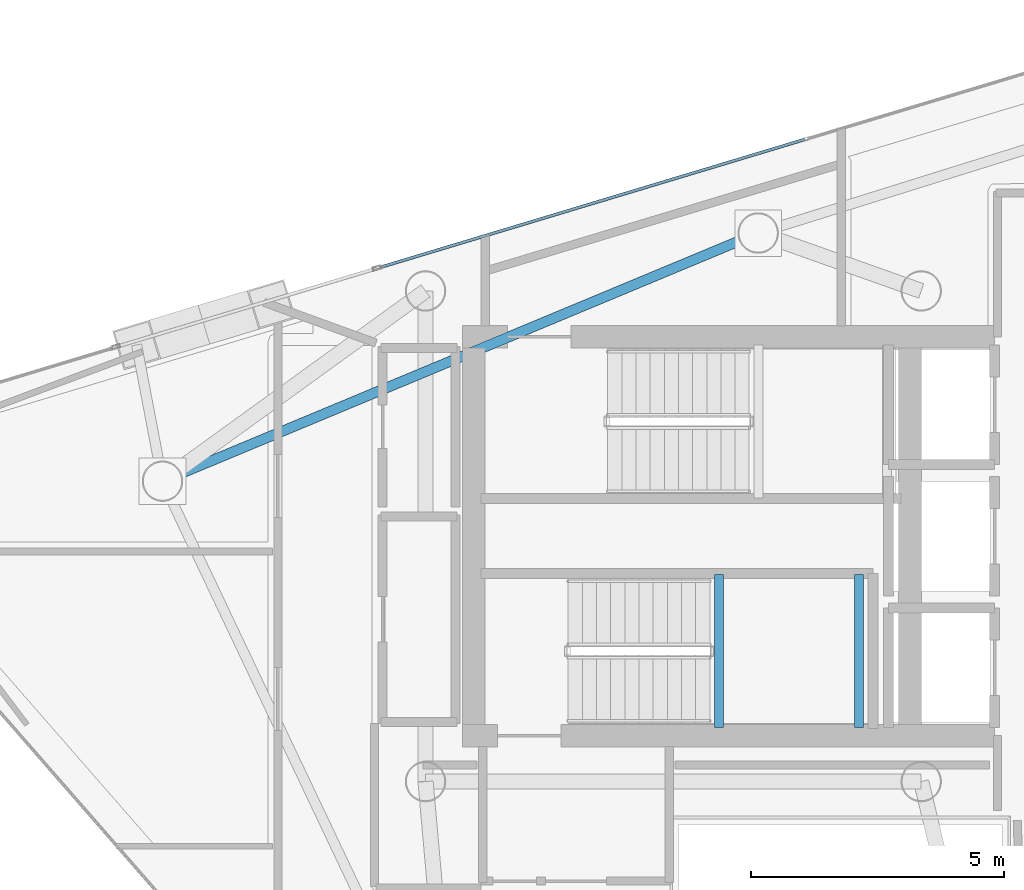
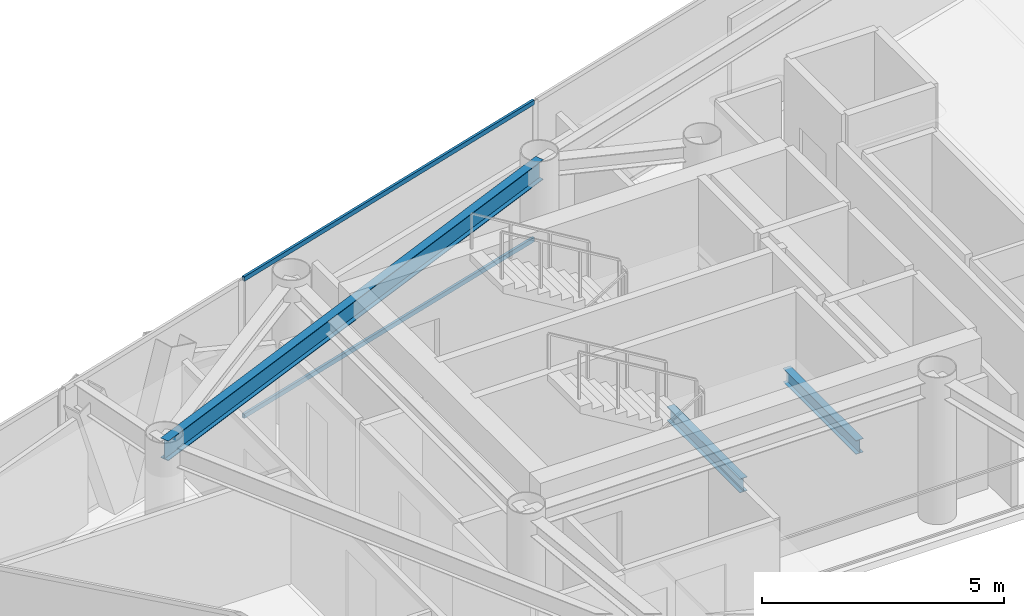
# One storey, part 9 of 19: 3 beams, 2 members, 1 element without a shape of its own.
"""IFC4 building model written with IfcOpenShell, lengths in metres."""

import ifcopenshell
import ifcopenshell.guid

model = None  # the IFC model being written
_history = None  # IfcOwnerHistory: only IFC2X3 demands one
_inside = {}  # id of a spatial element -> (the spatial element, [elements in it])
_under = {}  # id of a project, library or spatial element -> (it, [spatial elements below it])
_declared = {}  # id of a project -> (the project, [libraries it declares])
_typed = {}  # id of a type object -> (the type object, [elements of that type])
_made_of = {}  # id of a material, layer set ... -> (it, [elements and type objects made of it])


def new_model(schema):
    """Start an empty IFC model of exactly this schema.

    Asked for "IFC4X3", IfcOpenShell would pick the latest addendum, in which some entities
    have other attributes; the version numbers below select the first issue.
    IFC2X3 requires an IfcOwnerHistory on every rooted entity: one is made here for all.
    """
    global model, _history
    if schema == "IFC4X3":
        model = ifcopenshell.file(schema_version=(4, 3, 0, 0))
    else:
        model = ifcopenshell.file(schema=schema)
    _inside.clear()
    _under.clear()
    _declared.clear()
    _typed.clear()
    _made_of.clear()
    _history = None
    if model.schema == "IFC2X3":
        org = make("IfcOrganization", Name="unknown")
        user = make(
            "IfcPersonAndOrganization",
            ThePerson=make("IfcPerson", FamilyName="unknown"),
            TheOrganization=org,
        )
        app = make(
            "IfcApplication",
            ApplicationDeveloper=org,
            Version="unknown",
            ApplicationFullName="unknown",
            ApplicationIdentifier="unknown",
        )
        _history = make(
            "IfcOwnerHistory",
            OwningUser=user,
            OwningApplication=app,
            ChangeAction="ADDED",
            CreationDate=0,
        )
    return model


def make(cls, **values):
    """One entity of the class cls with the attributes given. An attribute that is None is left unset."""
    return model.create_entity(
        cls, **{name: value for name, value in values.items() if value is not None}
    )


def rooted(cls, **values):
    """An entity with a GlobalId (a new one), such as an element, a storey or a relation."""
    return make(cls, GlobalId=ifcopenshell.guid.new(), OwnerHistory=_history, **values)


def si_unit(unit_type, name, prefix=None):
    """IfcSIUnit, for example si_unit("LENGTHUNIT", "METRE", prefix="MILLI")."""
    return make("IfcSIUnit", UnitType=unit_type, Prefix=prefix, Name=name)


def assignment(units):
    """IfcUnitAssignment: the units of a project."""
    return None if units is None else make("IfcUnitAssignment", Units=units)


def point(xyz):
    """IfcCartesianPoint."""
    return None if xyz is None else make("IfcCartesianPoint", Coordinates=xyz)


def direction(xyz):
    """IfcDirection."""
    return None if xyz is None else make("IfcDirection", DirectionRatios=xyz)


def frame(location, z_axis=None, x_axis=None):
    """IfcAxis2Placement3D, a coordinate frame: its origin and axes. An axis left out is left unset."""
    return make(
        "IfcAxis2Placement3D",
        Location=point(location),
        Axis=direction(z_axis),
        RefDirection=direction(x_axis),
    )


def frame_2d(location, x_axis=None):
    """IfcAxis2Placement2D, a coordinate frame in the plane: its origin and x axis."""
    return make(
        "IfcAxis2Placement2D", Location=point(location), RefDirection=direction(x_axis)
    )


def origin():
    """The frame at (0, 0, 0) with its axes left unset."""
    return frame((0.0, 0.0, 0.0))


def origin_2d():
    """The frame at (0, 0) in the plane with its x axis left unset."""
    return frame_2d((0.0, 0.0))


def place(relative_to, where):
    """IfcLocalPlacement: puts the frame where relative to a parent placement (None: the world)."""
    return make(
        "IfcLocalPlacement", PlacementRelTo=relative_to, RelativePlacement=where
    )


def context(
    kind, dimensions, precision=None, world=None, true_north=None, identifier=None
):
    """IfcGeometricRepresentationContext, for example the 3D "Model" context."""
    return make(
        "IfcGeometricRepresentationContext",
        ContextIdentifier=identifier,
        ContextType=kind,
        CoordinateSpaceDimension=dimensions,
        Precision=precision,
        WorldCoordinateSystem=world,
        TrueNorth=true_north,
    )


def subcontext(parent, identifier, kind, view, scale=None):
    """IfcGeometricRepresentationSubContext, for example "Body" below "Model"."""
    return make(
        "IfcGeometricRepresentationSubContext",
        ContextIdentifier=identifier,
        ContextType=kind,
        ParentContext=parent,
        TargetScale=scale,
        TargetView=view,
    )


def project(units=None, contexts=None):
    """IfcProject with its units and contexts."""
    return rooted(
        "IfcProject",
        Name="project",
        RepresentationContexts=contexts,
        UnitsInContext=assignment(units),
    )


def spatial(cls, under=None, at=None, **own):
    """A site, building, storey or space (cls), placed at a placement, below another one or the project."""
    s = rooted(cls, ObjectPlacement=at, **own)
    if under is not None:
        _under.setdefault(under.id(), (under, []))[1].append(s)
    return s


def profile(cls, at=None, kind="AREA", **sizes):
    """A parametric profile (cls). Its sizes go by their IFC names, for example OverallWidth=200.0."""
    return make(cls, ProfileType=kind, Position=at, **sizes)


def hollow_rectangle(**sizes):
    """IfcRectangleHollowProfileDef."""
    return profile("IfcRectangleHollowProfileDef", **sizes)


def i_section(**sizes):
    """IfcIShapeProfileDef."""
    return profile("IfcIShapeProfileDef", **sizes)


def extrude(swept, where, along, depth):
    """IfcExtrudedAreaSolid: the profile swept, set in the frame where, extruded along a direction by depth."""
    return make(
        "IfcExtrudedAreaSolid",
        SweptArea=swept,
        Position=where,
        ExtrudedDirection=direction(along),
        Depth=depth,
    )


def shape(context_of_items, identifier, shape_type, items):
    """IfcShapeRepresentation: the items that make up one representation, for example the "Body"."""
    return make(
        "IfcShapeRepresentation",
        ContextOfItems=context_of_items,
        RepresentationIdentifier=identifier,
        RepresentationType=shape_type,
        Items=items,
    )


def material(Name=None, Category=None):
    """IfcMaterial."""
    return make("IfcMaterial", Name=Name, Category=Category)


def layer(
    of_material, thickness, ventilated=None, Name=None, Category=None, Priority=None
):
    """IfcMaterialLayer: one layer of a wall or slab, of a material (None: an air gap)."""
    return make(
        "IfcMaterialLayer",
        Material=of_material,
        LayerThickness=thickness,
        IsVentilated=ventilated,
        Name=Name,
        Category=Category,
        Priority=Priority,
    )


def layer_set(layers, Name=None):
    """IfcMaterialLayerSet."""
    return make("IfcMaterialLayerSet", MaterialLayers=layers, LayerSetName=Name)


def material_profile(
    of_material, cross_section, Name=None, Category=None, Priority=None
):
    """IfcMaterialProfile: a cross section and its material."""
    return make(
        "IfcMaterialProfile",
        Name=Name,
        Material=of_material,
        Profile=cross_section,
        Priority=Priority,
        Category=Category,
    )


def profile_set(profiles, Name=None, composite=None):
    """IfcMaterialProfileSet."""
    return make(
        "IfcMaterialProfileSet",
        Name=Name,
        MaterialProfiles=profiles,
        CompositeProfile=composite,
    )


def made_of(thing, what):
    """Note that an element or type object is made of a material, layer set ...; save() writes the relation."""
    if what is not None:
        _made_of.setdefault(what.id(), (what, []))[1].append(thing)
    return thing


def type_object(cls, material=None, **own):
    """A type object (cls), such as IfcWallType, which elements share."""
    return made_of(rooted(cls, **own), material)


def element(
    cls,
    number,
    at=None,
    inside=None,
    cuts=None,
    type_object=None,
    material=None,
    context=None,
    identifier="Body",
    shape_type=None,
    held_by="IfcProductDefinitionShape",
    body=None,
    shapes=None,
    **own,
):
    """One element of the class cls, such as IfcWall. Its Tag is "e" and its number.

    at: its placement. inside: the storey or other place that contains it. cuts: it is an
    opening in that element (IfcRelVoidsElement). A single representation is given by context,
    identifier, shape_type and body (its items); several are given by shapes. held_by: the class
    of the entity that holds the representations. save() writes the other relations.
    """
    e = rooted(cls, Tag="e%d" % number, ObjectPlacement=at, **own)
    if body is not None:
        shapes = [shape(context, identifier, shape_type, body)]
    if shapes is not None:
        e.Representation = make(held_by, Representations=shapes)
    if inside is not None:
        _inside.setdefault(inside.id(), (inside, []))[1].append(e)
    if cuts is not None:
        rooted(
            "IfcRelVoidsElement", RelatingBuildingElement=cuts, RelatedOpeningElement=e
        )
    if type_object is not None:
        _typed.setdefault(type_object.id(), (type_object, []))[1].append(e)
    return made_of(e, material)


def aggregate(whole, parts):
    """IfcRelAggregates: a whole, such as a stair, and the parts it consists of."""
    return rooted("IfcRelAggregates", RelatingObject=whole, RelatedObjects=parts)


def save(model, path):
    """Write the relations noted so far, then the file.

    IfcRelAggregates (storeys below a building ...), IfcRelContainedInSpatialStructure (elements
    in a storey), IfcRelDefinesByType, IfcRelAssociatesMaterial and IfcRelDeclares: one each for
    every whole, place, type object, material and project.
    """
    for whole, parts in _under.values():
        aggregate(whole, parts)
    for where, things in _inside.values():
        rooted(
            "IfcRelContainedInSpatialStructure",
            RelatedElements=things,
            RelatingStructure=where,
        )
    for kind, things in _typed.values():
        rooted("IfcRelDefinesByType", RelatedObjects=things, RelatingType=kind)
    for what, things in _made_of.values():
        rooted("IfcRelAssociatesMaterial", RelatedObjects=things, RelatingMaterial=what)
    for by, libraries in _declared.values():
        rooted("IfcRelDeclares", RelatingContext=by, RelatedDefinitions=libraries)
    model.write(path)


model = new_model("IFC4")

# Units and contexts
model_context = context("Model", 3, precision=1e-05, world=origin(), true_north=direction((0.0, 1.0)))
body_context = subcontext(model_context, "Body", "Model", "MODEL_VIEW")
ifc_project = project(units=[si_unit("LENGTHUNIT", "METRE"), si_unit("AREAUNIT", "SQUARE_METRE"), si_unit("VOLUMEUNIT", "CUBIC_METRE"), si_unit("PLANEANGLEUNIT", "RADIAN"), si_unit("MASSUNIT", "GRAM", prefix="KILO")], contexts=[model_context])

# Site, building, storey
site_placement = place(None, origin())
site = spatial("IfcSite", under=ifc_project, at=site_placement, CompositionType="ELEMENT")
building_placement = place(site_placement, origin())
building = spatial("IfcBuilding", under=site, at=building_placement, Name="Qianvela Tower", CompositionType="ELEMENT")
storey_placement = place(building_placement, frame((0.0, 0.0, 325.89990234375)))
storey = spatial("IfcBuildingStorey", under=building, at=storey_placement, Name="L84", CompositionType="ELEMENT", Elevation=325.89990234375)

# Beams
ifc_material_1 = material(Name="Steel Q355B", Category="steel")
ifc_material_profile_1 = material_profile(ifc_material_1, i_section(OverallWidth=0.175048828125, OverallDepth=0.35009765625, WebThickness=0.007080078125, FlangeThickness=0.010986328125, at=origin_2d()), Name="HN350x175x7x11")
ifc_profile_set_1 = profile_set([ifc_material_profile_1], Name="Steel Q355B")
beam_type_1 = type_object("IfcBeamType", Name="BM-HN350-JOIST", PredefinedType="JOIST", material=ifc_profile_set_1)
for number, where, z_axis, x_axis, name in (
    (1, (34.39990234375, 24.919921875, 1.47509765625), (0.0, 1.0, 0.0), (-1.0, 0.0, 0.0), "L84 Stair ST-2 Landing Support Beam 1.1"),
    (2, (37.169921875, 24.919921875, 1.47509765625), (0.0, 1.0, 0.0), (-1.0, 0.0, 0.0), "L84 Stair ST-2 Landing Support Beam 1.2"),
):
    element("IfcBeam", number, at=place(storey_placement, frame(where, z_axis=z_axis, x_axis=x_axis)), inside=storey, type_object=beam_type_1, Name=name, PredefinedType="JOIST", context=body_context, shape_type="SweptSolid", body=[
        extrude(i_section(OverallWidth=0.175048828125, OverallDepth=0.35009765625, WebThickness=0.007080078125, FlangeThickness=0.010986328125, at=origin_2d()), origin(), (0.0, 0.0, 1.0), 3.02001953125),
    ])
ifc_material_2 = material(Name="Steel Q355B", Category="steel")
ifc_material_profile_2 = material_profile(ifc_material_2, i_section(OverallWidth=0.199951171875, OverallDepth=0.5, WebThickness=0.010009765625, FlangeThickness=0.01611328125, at=origin_2d()), Name="HN500x200x10x16")
ifc_profile_set_2 = profile_set([ifc_material_profile_2], Name="Steel Q355B")
beam_type_2 = type_object("IfcBeamType", Name="BM-HN500-GIRD", PredefinedType="BEAM", material=ifc_profile_set_2)
beam_placement = place(storey_placement, frame((35.177001953125, 34.695068359375, 3.26806640625), z_axis=(-0.923108058734, -0.384540650517, 0.0), x_axis=(0.384540650517, -0.923108058734, 0.0)))
element("IfcBeam", 3, at=beam_placement, inside=storey, type_object=beam_type_2, Name="L84 Perimeter Ring Spandrel Girder 2", PredefinedType="BEAM", context=body_context, shape_type="SweptSolid", body=[
    extrude(i_section(OverallWidth=0.199951171875, OverallDepth=0.5, WebThickness=0.010009765625, FlangeThickness=0.01611328125, at=origin_2d()), origin(), (0.0, 0.0, 1.0), 12.758056640625),
])

# Curtain wall, members
ifc_material_3 = material(Name="Anodised Architectural Aluminium and Low-E Glass", Category="aluminium")
ifc_layer = layer(ifc_material_3, 0.14990234375)
ifc_layer_set = layer_set([ifc_layer], Name="Anodised Architectural Aluminium and Low-E Glass")
curtain_wall_type = type_object("IfcCurtainWallType", Name="CW-COLIV-Z78", PredefinedType="USERDEFINED", material=ifc_layer_set)
curtain_wall_placement = place(storey_placement, origin())
curtain_wall = element("IfcCurtainWall", 4, at=curtain_wall_placement, inside=storey, type_object=curtain_wall_type, Name="L84 CW-COLIV-Z78 Curtain Wall 02A", ObjectType="CURTAIN_WALL_SYSTEM", PredefinedType="USERDEFINED")
ifc_material_4 = material(Name="Anodised Architectural Aluminium 6063-T6", Category="aluminium")
ifc_material_profile_3 = material_profile(ifc_material_4, hollow_rectangle(XDim=0.06005859375, YDim=0.114990234375, WallThickness=0.00390625, at=origin_2d()), Name="ALU-TRAN-60x115")
ifc_profile_set_3 = profile_set([ifc_material_profile_3], Name="Anodised Architectural Aluminium 6063-T6")
member_type = type_object("IfcMemberType", Name="CW-COLIV-Z78-TRAN", PredefinedType="USERDEFINED", material=ifc_profile_set_3)
member_1_placement = place(storey_placement, frame((36.100830078125, 36.546875, 0.030029296875), z_axis=(-0.957489149536, -0.288469285228, 0.0), x_axis=(0.288469285228, -0.957489149536, 0.0)))
member_1 = element("IfcMember", 5, at=member_1_placement, type_object=member_type, Name="CW-6 transom 3.1", ObjectType="TRANSOM", PredefinedType="USERDEFINED", context=body_context, shape_type="SweptSolid", body=[
    extrude(hollow_rectangle(XDim=0.06005859375, YDim=0.114990234375, WallThickness=0.00390625, at=origin_2d()), origin(), (0.0, 0.0, 1.0), 8.746826171875),
])
member_2_placement = place(storey_placement, frame((36.100830078125, 36.546875, 3.489990234375), z_axis=(-0.957489149536, -0.288469285228, 0.0), x_axis=(0.288469285228, -0.957489149536, 0.0)))
member_2 = element("IfcMember", 6, at=member_2_placement, type_object=member_type, Name="CW-6 transom 3.2", ObjectType="TRANSOM", PredefinedType="USERDEFINED", context=body_context, shape_type="SweptSolid", body=[
    extrude(hollow_rectangle(XDim=0.06005859375, YDim=0.114990234375, WallThickness=0.00390625, at=origin_2d()), origin(), (0.0, 0.0, 1.0), 8.746826171875),
])
aggregate(curtain_wall, [member_1, member_2])

save(model, "model.ifc")
